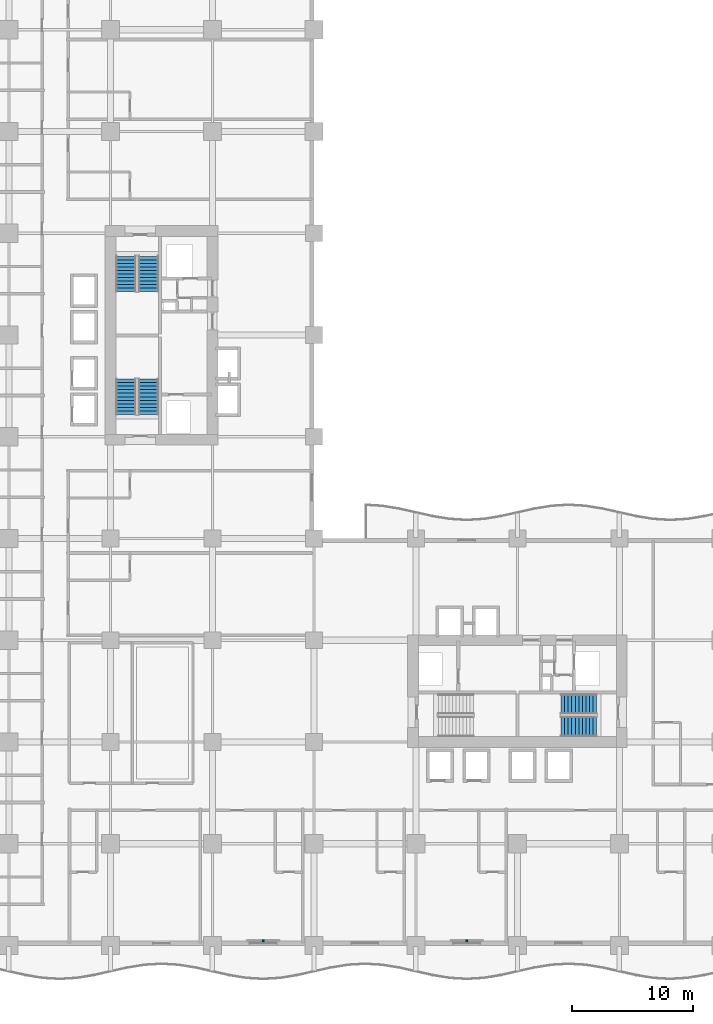
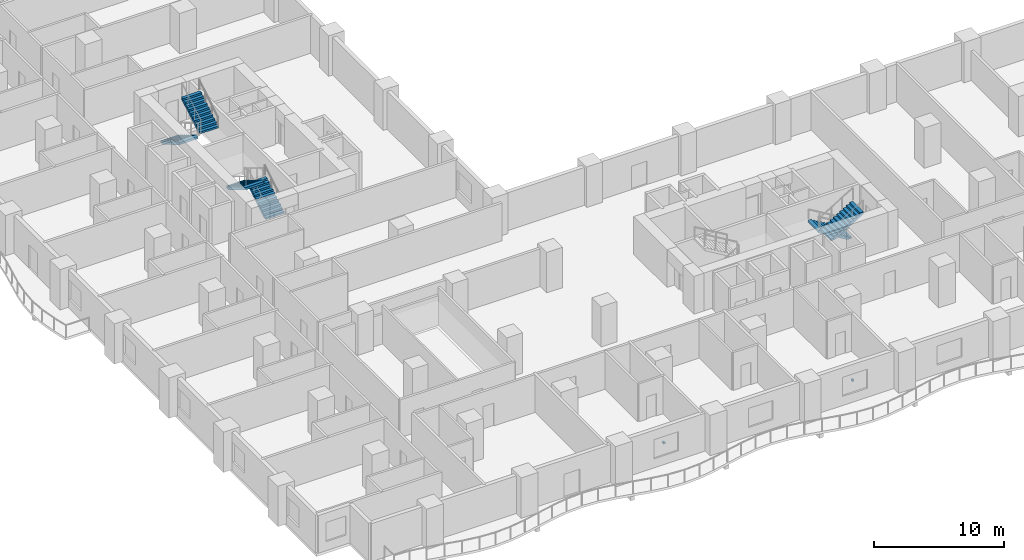
# One storey, part 21 of 26: 6 stair flights, 2 discrete accessories, 3 elements without a shape of their own.
"""IFC4 building model written with IfcOpenShell, lengths in metres."""

from ifc_helpers import new_model, si_unit, direction, frame, origin, origin_2d, place, context, subcontext, project, spatial, polyline, rectangle, outline, extrude, material, type_object, element, aggregate, save


model = new_model("IFC4")

# Units and contexts
model_context = context("Model", 3, precision=1e-05, world=origin(), true_north=direction((0.0, 1.0)))
body_context = subcontext(model_context, "Body", "Model", "MODEL_VIEW")
ifc_project = project(units=[si_unit("LENGTHUNIT", "METRE"), si_unit("AREAUNIT", "SQUARE_METRE"), si_unit("VOLUMEUNIT", "CUBIC_METRE"), si_unit("PLANEANGLEUNIT", "RADIAN"), si_unit("MASSUNIT", "GRAM", prefix="KILO")], contexts=[model_context])

# Site, building, storey
site_placement = place(None, origin())
site = spatial("IfcSite", under=ifc_project, at=site_placement, CompositionType="ELEMENT")
building_placement = place(site_placement, origin())
building = spatial("IfcBuilding", under=site, at=building_placement, Name="Koriwani Terraces Tower", CompositionType="ELEMENT")
storey_placement = place(building_placement, frame((0.0, 0.0, 39.60009765625)))
storey = spatial("IfcBuildingStorey", under=building, at=storey_placement, Name="L08", CompositionType="ELEMENT", Elevation=39.60009765625)

# Stair, stair flights
ifc_material_1 = material(Name="Concrete C40/50", Category="concrete")
stair_type = type_object("IfcStairType", Name="STAIR_CORE_DOGLEG_1650", PredefinedType="TWO_STRAIGHT_RUN_STAIR", material=ifc_material_1)
stair_1_placement = place(storey_placement, origin())
stair_1 = element("IfcStair", 1, at=stair_1_placement, inside=storey, type_object=stair_type, Name="L08 West Core Exit Stair 1", PredefinedType="HALF_TURN_STAIR")
stair_flight_type = type_object("IfcStairFlightType", Name="STAIR_FLIGHT_RC_1650", PredefinedType="STRAIGHT", material=ifc_material_1)
stair_flight_1_placement = place(storey_placement, frame((19.925048828125, 43.85009765625, 0.0), z_axis=(0.0, 0.0, 1.0), x_axis=(0.0, 1.0, 0.0)))
stair_flight_1 = element("IfcStairFlight", 2, at=stair_flight_1_placement, type_object=stair_flight_type, Name="ST-W1 flight 1", NumberOfRisers=11, NumberOfTreads=10, PredefinedType="STRAIGHT", RiserHeight=0.172727273, TreadLength=0.29, context=body_context, shape_type="SweptSolid", body=[
    extrude(outline(polyline([(0.0, 0.0), (0.0, 0.172607421875), (0.2900390625, 0.172607421875), (0.2900390625, 0.345458984375), (0.580078125, 0.345458984375), (0.580078125, 0.51806640625), (0.8701171875, 0.51806640625), (0.8701171875, 0.69091796875), (1.159912109375, 0.69091796875), (1.159912109375, 0.863525390625), (1.449951171875, 0.863525390625), (1.449951171875, 1.036376953125), (1.739990234375, 1.036376953125), (1.739990234375, 1.208984375), (2.030029296875, 1.208984375), (2.030029296875, 1.3818359375), (2.320068359375, 1.3818359375), (2.320068359375, 1.554443359375), (2.610107421875, 1.554443359375), (2.610107421875, 1.727294921875), (2.89990234375, 1.727294921875), (2.89990234375, 1.89990234375), (2.89990234375, 1.517822265625), (0.3515625, 0.0), (0.0, 0.0)])), frame((0.0, 0.824951171875, 0.0), z_axis=(0.0, -1.0, 0.0), x_axis=(1.0, 0.0, 0.0)), (0.0, 0.0, 1.0), 1.64990234375),
])
stair_flight_2_placement = place(storey_placement, frame((18.074951171875, 46.75, 1.89990234375), z_axis=(0.0, 0.0, 1.0), x_axis=(0.0, -1.0, 0.0)))
stair_flight_2 = element("IfcStairFlight", 3, at=stair_flight_2_placement, type_object=stair_flight_type, Name="ST-W1 flight 2", NumberOfRisers=11, NumberOfTreads=10, PredefinedType="STRAIGHT", RiserHeight=0.172727273, TreadLength=0.29, context=body_context, shape_type="SweptSolid", body=[
    extrude(outline(polyline([(0.0, 0.0), (0.0, 0.172607421875), (0.2900390625, 0.172607421875), (0.2900390625, 0.345458984375), (0.580078125, 0.345458984375), (0.580078125, 0.51806640625), (0.8701171875, 0.51806640625), (0.8701171875, 0.69091796875), (1.159912109375, 0.69091796875), (1.159912109375, 0.863525390625), (1.449951171875, 0.863525390625), (1.449951171875, 1.036376953125), (1.739990234375, 1.036376953125), (1.739990234375, 1.208984375), (2.030029296875, 1.208984375), (2.030029296875, 1.3818359375), (2.320068359375, 1.3818359375), (2.320068359375, 1.554443359375), (2.610107421875, 1.554443359375), (2.610107421875, 1.727294921875), (2.89990234375, 1.727294921875), (2.89990234375, 1.89990234375), (2.89990234375, 1.517822265625), (0.3515625, 0.0), (0.0, 0.0)])), frame((0.0, 0.824951171875, 0.0), z_axis=(0.0, -1.0, 0.0), x_axis=(1.0, 0.0, 0.0)), (0.0, 0.0, 1.0), 1.64990234375),
])
aggregate(stair_1, [stair_flight_1, stair_flight_2])

stair_2_placement = place(storey_placement, origin())
stair_2 = element("IfcStair", 4, at=stair_2_placement, inside=storey, type_object=stair_type, Name="L08 West Core Exit Stair 2", PredefinedType="HALF_TURN_STAIR")
stair_flight_3_placement = place(storey_placement, frame((18.074951171875, 56.89990234375, 0.0), z_axis=(0.0, 0.0, 1.0), x_axis=(0.0, -1.0, 0.0)))
stair_flight_3 = element("IfcStairFlight", 5, at=stair_flight_3_placement, type_object=stair_flight_type, Name="ST-W2 flight 1", NumberOfRisers=11, NumberOfTreads=10, PredefinedType="STRAIGHT", RiserHeight=0.172727273, TreadLength=0.29, context=body_context, shape_type="SweptSolid", body=[
    extrude(outline(polyline([(0.0, 0.0), (0.0, 0.172607421875), (0.2900390625, 0.172607421875), (0.2900390625, 0.345458984375), (0.580078125, 0.345458984375), (0.580078125, 0.51806640625), (0.8701171875, 0.51806640625), (0.8701171875, 0.69091796875), (1.159912109375, 0.69091796875), (1.159912109375, 0.863525390625), (1.449951171875, 0.863525390625), (1.449951171875, 1.036376953125), (1.739990234375, 1.036376953125), (1.739990234375, 1.208984375), (2.030029296875, 1.208984375), (2.030029296875, 1.3818359375), (2.320068359375, 1.3818359375), (2.320068359375, 1.554443359375), (2.610107421875, 1.554443359375), (2.610107421875, 1.727294921875), (2.89990234375, 1.727294921875), (2.89990234375, 1.89990234375), (2.89990234375, 1.517822265625), (0.3515625, 0.0), (0.0, 0.0)])), frame((0.0, 0.824951171875, 0.0), z_axis=(0.0, -1.0, 0.0), x_axis=(1.0, 0.0, 0.0)), (0.0, 0.0, 1.0), 1.64990234375),
])
stair_flight_4_placement = place(storey_placement, frame((19.925048828125, 54.0, 1.89990234375), z_axis=(0.0, 0.0, 1.0), x_axis=(0.0, 1.0, 0.0)))
stair_flight_4 = element("IfcStairFlight", 6, at=stair_flight_4_placement, type_object=stair_flight_type, Name="ST-W2 flight 2", NumberOfRisers=11, NumberOfTreads=10, PredefinedType="STRAIGHT", RiserHeight=0.172727273, TreadLength=0.29, context=body_context, shape_type="SweptSolid", body=[
    extrude(outline(polyline([(0.0, 0.0), (0.0, 0.172607421875), (0.2900390625, 0.172607421875), (0.2900390625, 0.345458984375), (0.580078125, 0.345458984375), (0.580078125, 0.51806640625), (0.8701171875, 0.51806640625), (0.8701171875, 0.69091796875), (1.159912109375, 0.69091796875), (1.159912109375, 0.863525390625), (1.449951171875, 0.863525390625), (1.449951171875, 1.036376953125), (1.739990234375, 1.036376953125), (1.739990234375, 1.208984375), (2.030029296875, 1.208984375), (2.030029296875, 1.3818359375), (2.320068359375, 1.3818359375), (2.320068359375, 1.554443359375), (2.610107421875, 1.554443359375), (2.610107421875, 1.727294921875), (2.89990234375, 1.727294921875), (2.89990234375, 1.89990234375), (2.89990234375, 1.517822265625), (0.3515625, 0.0), (0.0, 0.0)])), frame((0.0, 0.824951171875, 0.0), z_axis=(0.0, -1.0, 0.0), x_axis=(1.0, 0.0, 0.0)), (0.0, 0.0, 1.0), 1.64990234375),
])
aggregate(stair_2, [stair_flight_3, stair_flight_4])

stair_3_placement = place(storey_placement, origin())
stair_3 = element("IfcStair", 7, at=stair_3_placement, inside=storey, type_object=stair_type, Name="L08 East Core Exit Stair 2", PredefinedType="HALF_TURN_STAIR")
stair_flight_5_placement = place(storey_placement, frame((56.89990234375, 19.925048828125, 0.0), z_axis=(0.0, 0.0, 1.0), x_axis=(-1.0, 0.0, 0.0)))
stair_flight_5 = element("IfcStairFlight", 8, at=stair_flight_5_placement, type_object=stair_flight_type, Name="ST-E2 flight 1", NumberOfRisers=11, NumberOfTreads=10, PredefinedType="STRAIGHT", RiserHeight=0.172727273, TreadLength=0.29, context=body_context, shape_type="SweptSolid", body=[
    extrude(outline(polyline([(0.0, 0.0), (0.0, 0.172607421875), (0.2900390625, 0.172607421875), (0.2900390625, 0.345458984375), (0.580078125, 0.345458984375), (0.580078125, 0.51806640625), (0.8701171875, 0.51806640625), (0.8701171875, 0.69091796875), (1.159912109375, 0.69091796875), (1.159912109375, 0.863525390625), (1.449951171875, 0.863525390625), (1.449951171875, 1.036376953125), (1.739990234375, 1.036376953125), (1.739990234375, 1.208984375), (2.030029296875, 1.208984375), (2.030029296875, 1.3818359375), (2.320068359375, 1.3818359375), (2.320068359375, 1.554443359375), (2.610107421875, 1.554443359375), (2.610107421875, 1.727294921875), (2.89990234375, 1.727294921875), (2.89990234375, 1.89990234375), (2.89990234375, 1.517822265625), (0.3515625, 0.0), (0.0, 0.0)])), frame((0.0, 0.824951171875, 0.0), z_axis=(0.0, -1.0, 0.0), x_axis=(1.0, 0.0, 0.0)), (0.0, 0.0, 1.0), 1.64990234375),
])
stair_flight_6_placement = place(storey_placement, frame((54.0, 18.074951171875, 1.89990234375), z_axis=(0.0, 0.0, 1.0), x_axis=(1.0, 0.0, 0.0)))
stair_flight_6 = element("IfcStairFlight", 9, at=stair_flight_6_placement, type_object=stair_flight_type, Name="ST-E2 flight 2", NumberOfRisers=11, NumberOfTreads=10, PredefinedType="STRAIGHT", RiserHeight=0.172727273, TreadLength=0.29, context=body_context, shape_type="SweptSolid", body=[
    extrude(outline(polyline([(0.0, 0.0), (0.0, 0.172607421875), (0.2900390625, 0.172607421875), (0.2900390625, 0.345458984375), (0.580078125, 0.345458984375), (0.580078125, 0.51806640625), (0.8701171875, 0.51806640625), (0.8701171875, 0.69091796875), (1.159912109375, 0.69091796875), (1.159912109375, 0.863525390625), (1.449951171875, 0.863525390625), (1.449951171875, 1.036376953125), (1.739990234375, 1.036376953125), (1.739990234375, 1.208984375), (2.030029296875, 1.208984375), (2.030029296875, 1.3818359375), (2.320068359375, 1.3818359375), (2.320068359375, 1.554443359375), (2.610107421875, 1.554443359375), (2.610107421875, 1.727294921875), (2.89990234375, 1.727294921875), (2.89990234375, 1.89990234375), (2.89990234375, 1.517822265625), (0.3515625, 0.0), (0.0, 0.0)])), frame((0.0, 0.824951171875, 0.0), z_axis=(0.0, -1.0, 0.0), x_axis=(1.0, 0.0, 0.0)), (0.0, 0.0, 1.0), 1.64990234375),
])
aggregate(stair_3, [stair_flight_5, stair_flight_6])

# Discrete accessories
ifc_material_2 = material(Name="Steel ASTM A572 Grade 50", Category="steel")
discrete_accessory_type = type_object("IfcDiscreteAccessoryType", Name="BAGUETTE_STANDOFF_BRACKET", PredefinedType="BRACKET", material=ifc_material_2)
for number, where, z_axis, x_axis, name in (
    (10, (29.39990234375, 0.389892578125, 1.68505859375), (0.0, 0.0, 1.0), (-1.0, 0.0, 0.0), "L08 Terracotta Baguette Bracket (S-9)"),
    (11, (46.199951171875, 0.389892578125, 1.68505859375), (0.0, 0.0, 1.0), (-1.0, 0.0, 0.0), "L08 Terracotta Baguette Bracket (S-15)"),
):
    element("IfcDiscreteAccessory", number, at=place(storey_placement, frame(where, z_axis=z_axis, x_axis=x_axis)), inside=storey, type_object=discrete_accessory_type, Name=name, PredefinedType="BRACKET", context=body_context, shape_type="SweptSolid", body=[
        extrude(rectangle(XDim=0.159912109375, YDim=0.199951171875, at=origin_2d()), origin(), (0.0, 0.0, 1.0), 0.179931640625),
    ])

save(model, "model.ifc")
